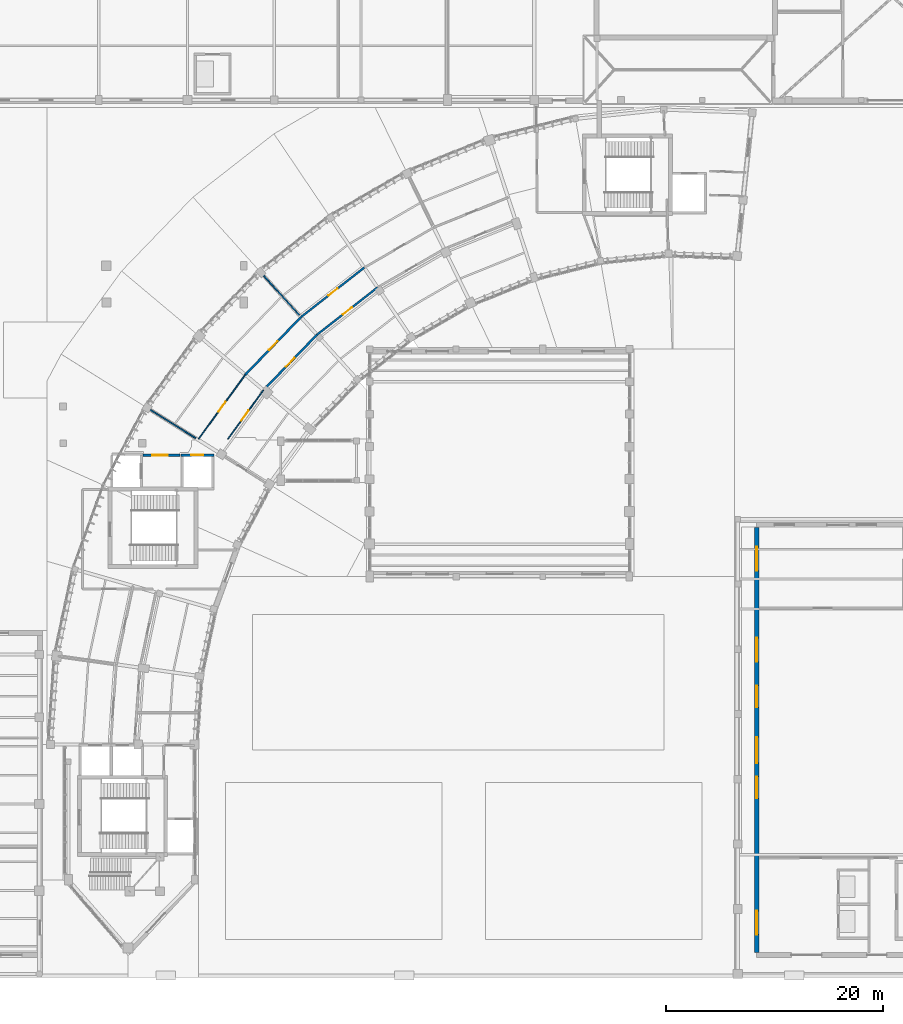
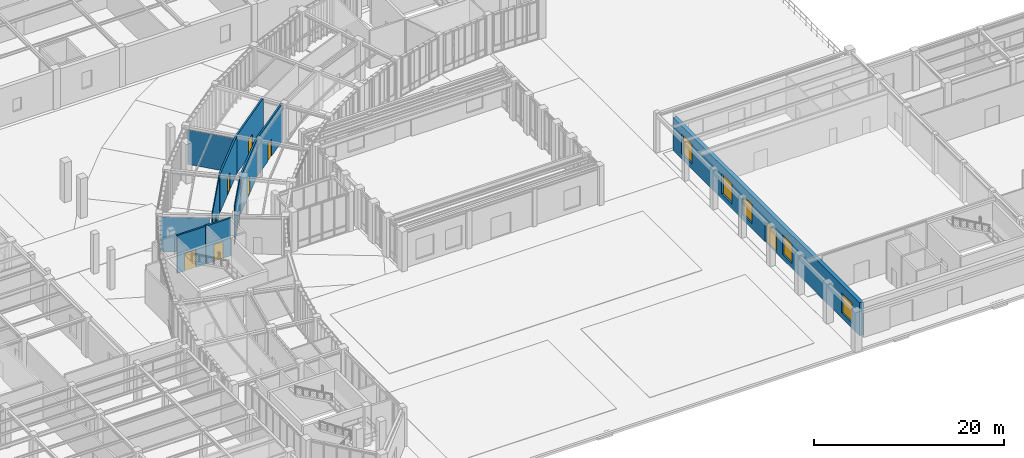
# One storey, part 39 of 68: 11 walls, 9 doors, 5 windows, 14 openings.
"""IFC4 building model written with IfcOpenShell, lengths in metres."""

import ifcopenshell
import ifcopenshell.guid

model = None  # the IFC model being written
_history = None  # IfcOwnerHistory: only IFC2X3 demands one
_inside = {}  # id of a spatial element -> (the spatial element, [elements in it])
_under = {}  # id of a project, library or spatial element -> (it, [spatial elements below it])
_declared = {}  # id of a project -> (the project, [libraries it declares])
_typed = {}  # id of a type object -> (the type object, [elements of that type])
_made_of = {}  # id of a material, layer set ... -> (it, [elements and type objects made of it])


def new_model(schema):
    """Start an empty IFC model of exactly this schema.

    Asked for "IFC4X3", IfcOpenShell would pick the latest addendum, in which some entities
    have other attributes; the version numbers below select the first issue.
    IFC2X3 requires an IfcOwnerHistory on every rooted entity: one is made here for all.
    """
    global model, _history
    if schema == "IFC4X3":
        model = ifcopenshell.file(schema_version=(4, 3, 0, 0))
    else:
        model = ifcopenshell.file(schema=schema)
    _inside.clear()
    _under.clear()
    _declared.clear()
    _typed.clear()
    _made_of.clear()
    _history = None
    if model.schema == "IFC2X3":
        org = make("IfcOrganization", Name="unknown")
        user = make(
            "IfcPersonAndOrganization",
            ThePerson=make("IfcPerson", FamilyName="unknown"),
            TheOrganization=org,
        )
        app = make(
            "IfcApplication",
            ApplicationDeveloper=org,
            Version="unknown",
            ApplicationFullName="unknown",
            ApplicationIdentifier="unknown",
        )
        _history = make(
            "IfcOwnerHistory",
            OwningUser=user,
            OwningApplication=app,
            ChangeAction="ADDED",
            CreationDate=0,
        )
    return model


def make(cls, **values):
    """One entity of the class cls with the attributes given. An attribute that is None is left unset."""
    return model.create_entity(
        cls, **{name: value for name, value in values.items() if value is not None}
    )


def rooted(cls, **values):
    """An entity with a GlobalId (a new one), such as an element, a storey or a relation."""
    return make(cls, GlobalId=ifcopenshell.guid.new(), OwnerHistory=_history, **values)


def si_unit(unit_type, name, prefix=None):
    """IfcSIUnit, for example si_unit("LENGTHUNIT", "METRE", prefix="MILLI")."""
    return make("IfcSIUnit", UnitType=unit_type, Prefix=prefix, Name=name)


def assignment(units):
    """IfcUnitAssignment: the units of a project."""
    return None if units is None else make("IfcUnitAssignment", Units=units)


def point(xyz):
    """IfcCartesianPoint."""
    return None if xyz is None else make("IfcCartesianPoint", Coordinates=xyz)


def direction(xyz):
    """IfcDirection."""
    return None if xyz is None else make("IfcDirection", DirectionRatios=xyz)


def frame(location, z_axis=None, x_axis=None):
    """IfcAxis2Placement3D, a coordinate frame: its origin and axes. An axis left out is left unset."""
    return make(
        "IfcAxis2Placement3D",
        Location=point(location),
        Axis=direction(z_axis),
        RefDirection=direction(x_axis),
    )


def frame_2d(location, x_axis=None):
    """IfcAxis2Placement2D, a coordinate frame in the plane: its origin and x axis."""
    return make(
        "IfcAxis2Placement2D", Location=point(location), RefDirection=direction(x_axis)
    )


def origin():
    """The frame at (0, 0, 0) with its axes left unset."""
    return frame((0.0, 0.0, 0.0))


def place(relative_to, where):
    """IfcLocalPlacement: puts the frame where relative to a parent placement (None: the world)."""
    return make(
        "IfcLocalPlacement", PlacementRelTo=relative_to, RelativePlacement=where
    )


def context(
    kind, dimensions, precision=None, world=None, true_north=None, identifier=None
):
    """IfcGeometricRepresentationContext, for example the 3D "Model" context."""
    return make(
        "IfcGeometricRepresentationContext",
        ContextIdentifier=identifier,
        ContextType=kind,
        CoordinateSpaceDimension=dimensions,
        Precision=precision,
        WorldCoordinateSystem=world,
        TrueNorth=true_north,
    )


def subcontext(parent, identifier, kind, view, scale=None):
    """IfcGeometricRepresentationSubContext, for example "Body" below "Model"."""
    return make(
        "IfcGeometricRepresentationSubContext",
        ContextIdentifier=identifier,
        ContextType=kind,
        ParentContext=parent,
        TargetScale=scale,
        TargetView=view,
    )


def project(units=None, contexts=None):
    """IfcProject with its units and contexts."""
    return rooted(
        "IfcProject",
        Name="project",
        RepresentationContexts=contexts,
        UnitsInContext=assignment(units),
    )


def spatial(cls, under=None, at=None, **own):
    """A site, building, storey or space (cls), placed at a placement, below another one or the project."""
    s = rooted(cls, ObjectPlacement=at, **own)
    if under is not None:
        _under.setdefault(under.id(), (under, []))[1].append(s)
    return s


def profile(cls, at=None, kind="AREA", **sizes):
    """A parametric profile (cls). Its sizes go by their IFC names, for example OverallWidth=200.0."""
    return make(cls, ProfileType=kind, Position=at, **sizes)


def rectangle(**sizes):
    """IfcRectangleProfileDef."""
    return profile("IfcRectangleProfileDef", **sizes)


def extrude(swept, where, along, depth):
    """IfcExtrudedAreaSolid: the profile swept, set in the frame where, extruded along a direction by depth."""
    return make(
        "IfcExtrudedAreaSolid",
        SweptArea=swept,
        Position=where,
        ExtrudedDirection=direction(along),
        Depth=depth,
    )


def shape(context_of_items, identifier, shape_type, items):
    """IfcShapeRepresentation: the items that make up one representation, for example the "Body"."""
    return make(
        "IfcShapeRepresentation",
        ContextOfItems=context_of_items,
        RepresentationIdentifier=identifier,
        RepresentationType=shape_type,
        Items=items,
    )


def material(Name=None, Category=None):
    """IfcMaterial."""
    return make("IfcMaterial", Name=Name, Category=Category)


def layer(
    of_material, thickness, ventilated=None, Name=None, Category=None, Priority=None
):
    """IfcMaterialLayer: one layer of a wall or slab, of a material (None: an air gap)."""
    return make(
        "IfcMaterialLayer",
        Material=of_material,
        LayerThickness=thickness,
        IsVentilated=ventilated,
        Name=Name,
        Category=Category,
        Priority=Priority,
    )


def layer_set(layers, Name=None):
    """IfcMaterialLayerSet."""
    return make("IfcMaterialLayerSet", MaterialLayers=layers, LayerSetName=Name)


def made_of(thing, what):
    """Note that an element or type object is made of a material, layer set ...; save() writes the relation."""
    if what is not None:
        _made_of.setdefault(what.id(), (what, []))[1].append(thing)
    return thing


def type_object(cls, material=None, **own):
    """A type object (cls), such as IfcWallType, which elements share."""
    return made_of(rooted(cls, **own), material)


def element(
    cls,
    number,
    at=None,
    inside=None,
    cuts=None,
    type_object=None,
    material=None,
    context=None,
    identifier="Body",
    shape_type=None,
    held_by="IfcProductDefinitionShape",
    body=None,
    shapes=None,
    **own,
):
    """One element of the class cls, such as IfcWall. Its Tag is "e" and its number.

    at: its placement. inside: the storey or other place that contains it. cuts: it is an
    opening in that element (IfcRelVoidsElement). A single representation is given by context,
    identifier, shape_type and body (its items); several are given by shapes. held_by: the class
    of the entity that holds the representations. save() writes the other relations.
    """
    e = rooted(cls, Tag="e%d" % number, ObjectPlacement=at, **own)
    if body is not None:
        shapes = [shape(context, identifier, shape_type, body)]
    if shapes is not None:
        e.Representation = make(held_by, Representations=shapes)
    if inside is not None:
        _inside.setdefault(inside.id(), (inside, []))[1].append(e)
    if cuts is not None:
        rooted(
            "IfcRelVoidsElement", RelatingBuildingElement=cuts, RelatedOpeningElement=e
        )
    if type_object is not None:
        _typed.setdefault(type_object.id(), (type_object, []))[1].append(e)
    return made_of(e, material)


def fill(opening, filler):
    """IfcRelFillsElement: the door or window that sits in an opening."""
    return rooted(
        "IfcRelFillsElement",
        RelatingOpeningElement=opening,
        RelatedBuildingElement=filler,
    )


def aggregate(whole, parts):
    """IfcRelAggregates: a whole, such as a stair, and the parts it consists of."""
    return rooted("IfcRelAggregates", RelatingObject=whole, RelatedObjects=parts)


def save(model, path):
    """Write the relations noted so far, then the file.

    IfcRelAggregates (storeys below a building ...), IfcRelContainedInSpatialStructure (elements
    in a storey), IfcRelDefinesByType, IfcRelAssociatesMaterial and IfcRelDeclares: one each for
    every whole, place, type object, material and project.
    """
    for whole, parts in _under.values():
        aggregate(whole, parts)
    for where, things in _inside.values():
        rooted(
            "IfcRelContainedInSpatialStructure",
            RelatedElements=things,
            RelatingStructure=where,
        )
    for kind, things in _typed.values():
        rooted("IfcRelDefinesByType", RelatedObjects=things, RelatingType=kind)
    for what, things in _made_of.values():
        rooted("IfcRelAssociatesMaterial", RelatedObjects=things, RelatingMaterial=what)
    for by, libraries in _declared.values():
        rooted("IfcRelDeclares", RelatingContext=by, RelatedDefinitions=libraries)
    model.write(path)


model = new_model("IFC4")

# Units and contexts
model_context = context("Model", 3, precision=1e-05, world=origin(), true_north=direction((0.0, 1.0)))
body_context = subcontext(model_context, "Body", "Model", "MODEL_VIEW")
ifc_project = project(units=[si_unit("LENGTHUNIT", "METRE"), si_unit("AREAUNIT", "SQUARE_METRE"), si_unit("VOLUMEUNIT", "CUBIC_METRE"), si_unit("PLANEANGLEUNIT", "RADIAN"), si_unit("MASSUNIT", "GRAM", prefix="KILO"), si_unit("THERMODYNAMICTEMPERATUREUNIT", "KELVIN"), si_unit("POWERUNIT", "WATT")], contexts=[model_context])

# Site, building, storey
site_placement = place(None, origin())
site = spatial("IfcSite", under=ifc_project, at=site_placement, CompositionType="ELEMENT")
building_placement = place(site_placement, origin())
building = spatial("IfcBuilding", under=site, at=building_placement, Name="Solvatero Civic Police Headquarters", CompositionType="ELEMENT")
storey_placement = place(building_placement, origin())
storey = spatial("IfcBuildingStorey", under=building, at=storey_placement, Name="L00", CompositionType="ELEMENT", Elevation=0.0)

# Wall, openings, door, windows
ifc_material_1 = material(Name="Grey Sandstone Ashlar", Category="masonry")
ifc_layer_1 = layer(ifc_material_1, 0.449951171875)
ifc_layer_set_1 = layer_set([ifc_layer_1], Name="Grey Sandstone Ashlar")
wall_type_1 = type_object("IfcWallType", Name="WL-EXT-SAND-450", PredefinedType="SOLIDWALL", material=ifc_layer_set_1)
wall_1_placement = place(storey_placement, frame((100.550048828125, 6.780029296875, 0.0), z_axis=(0.0, 0.0, 1.0), x_axis=(0.0, 1.0, 0.0)))
wall_1 = element("IfcWall", 1, at=wall_1_placement, inside=storey, type_object=wall_type_1, Name="Exterior Wall WLE-L00-V1-W", PredefinedType="SOLIDWALL", context=body_context, shape_type="SweptSolid", body=[
    extrude(rectangle(XDim=39.27001953125, YDim=0.449951171875, at=frame_2d((19.635009765625, 0.0))), origin(), (0.0, 0.0, 1.0), 4.26806640625),
])
opening_1_placement = place(wall_1_placement, frame((17.5, 0.0, 0.0)))
opening_1 = element("IfcOpeningElement", 2, at=opening_1_placement, cuts=wall_1, Name="Opening ED-06", PredefinedType="OPENING", context=body_context, shape_type="SweptSolid", body=[
    extrude(rectangle(XDim=2.39990234375, YDim=2.699951171875, at=frame_2d((1.199951171875, 1.35009765625))), frame((0.0, 0.23486328125, 0.0), z_axis=(0.0, -1.0, 0.0), x_axis=(1.0, 0.0, 0.0)), (0.0, 0.0, 1.0), 0.469970703125),
])
opening_2_placement = place(wall_1_placement, frame((1.64990234375, 0.0, 0.64990234375)))
opening_2 = element("IfcOpeningElement", 3, at=opening_2_placement, cuts=wall_1, Name="Opening W-07", PredefinedType="OPENING", context=body_context, shape_type="SweptSolid", body=[
    extrude(rectangle(XDim=2.199951171875, YDim=2.60009765625, at=frame_2d((1.10009765625, 1.300048828125))), frame((0.0, 0.23486328125, 0.0), z_axis=(0.0, -1.0, 0.0), x_axis=(1.0, 0.0, 0.0)), (0.0, 0.0, 1.0), 0.469970703125),
])
opening_3_placement = place(wall_1_placement, frame((14.25, 0.0, 0.64990234375)))
opening_3 = element("IfcOpeningElement", 4, at=opening_3_placement, cuts=wall_1, Name="Opening W-06", PredefinedType="OPENING", context=body_context, shape_type="SweptSolid", body=[
    extrude(rectangle(XDim=2.0, YDim=2.5, at=frame_2d((1.0, 1.25))), frame((0.0, 0.23486328125, 0.0), z_axis=(0.0, -1.0, 0.0), x_axis=(1.0, 0.0, 0.0)), (0.0, 0.0, 1.0), 0.469970703125),
])
opening_4_placement = place(wall_1_placement, frame((22.64990234375, 0.0, 0.64990234375)))
opening_4 = element("IfcOpeningElement", 5, at=opening_4_placement, cuts=wall_1, Name="Opening W-06", PredefinedType="OPENING", context=body_context, shape_type="SweptSolid", body=[
    extrude(rectangle(XDim=2.0, YDim=2.5, at=frame_2d((1.0, 1.25))), frame((0.0, 0.23486328125, 0.0), z_axis=(0.0, -1.0, 0.0), x_axis=(1.0, 0.0, 0.0)), (0.0, 0.0, 1.0), 0.469970703125),
])
opening_5_placement = place(wall_1_placement, frame((26.85009765625, 0.0, 0.64990234375)))
opening_5 = element("IfcOpeningElement", 6, at=opening_5_placement, cuts=wall_1, Name="Opening W-07", PredefinedType="OPENING", context=body_context, shape_type="SweptSolid", body=[
    extrude(rectangle(XDim=2.199951171875, YDim=2.60009765625, at=frame_2d((1.10009765625, 1.300048828125))), frame((0.0, 0.23486328125, 0.0), z_axis=(0.0, -1.0, 0.0), x_axis=(1.0, 0.0, 0.0)), (0.0, 0.0, 1.0), 0.469970703125),
])
opening_6_placement = place(wall_1_placement, frame((35.25, 0.0, 0.64990234375)))
opening_6 = element("IfcOpeningElement", 7, at=opening_6_placement, cuts=wall_1, Name="Opening W-07", PredefinedType="OPENING", context=body_context, shape_type="SweptSolid", body=[
    extrude(rectangle(XDim=2.199951171875, YDim=2.60009765625, at=frame_2d((1.10009765625, 1.300048828125))), frame((0.0, 0.23486328125, 0.0), z_axis=(0.0, -1.0, 0.0), x_axis=(1.0, 0.0, 0.0)), (0.0, 0.0, 1.0), 0.469970703125),
])
ifc_material_2 = material(Name="Anodized Bronze Aluminium and Laminated Glass", Category="aluminium")
door_type_1 = type_object("IfcDoorType", Name="DR-EXT-240x270", OperationType="DOUBLE_DOOR_SINGLE_SWING", PredefinedType="DOOR", material=ifc_material_2)
door_1_placement = place(opening_1_placement, origin())
door_1 = element("IfcDoor", 8, at=door_1_placement, inside=storey, type_object=door_type_1, Name="Exterior Door DR-L00-V1-WEST", OperationType="DOUBLE_DOOR_SINGLE_SWING", OverallHeight=2.699951171875, OverallWidth=2.39990234375, PredefinedType="DOOR", context=body_context, shape_type="SweptSolid", body=[
    extrude(rectangle(XDim=2.39990234375, YDim=2.699951171875, at=frame_2d((1.199951171875, 1.35009765625))), frame((0.0, 0.02490234375, 0.0), z_axis=(0.0, -1.0, 0.0), x_axis=(1.0, 0.0, 0.0)), (0.0, 0.0, 1.0), 0.050048828125),
])
fill(opening_1, door_1)
ifc_material_3 = material(Name="Anodized Bronze Aluminium", Category="aluminium")
window_type_1 = type_object("IfcWindowType", Name="WN-CL-200x250", PartitioningType="SINGLE_PANEL", PredefinedType="WINDOW", material=ifc_material_3)
window_1_placement = place(opening_3_placement, origin())
window_1 = element("IfcWindow", 9, at=window_1_placement, inside=storey, type_object=window_type_1, Name="Exterior Window 0269", OverallHeight=2.5, OverallWidth=2.0, PartitioningType="SINGLE_PANEL", PredefinedType="WINDOW", context=body_context, shape_type="SweptSolid", body=[
    extrude(rectangle(XDim=2.0, YDim=2.5, at=frame_2d((1.0, 1.25))), frame((0.0, 0.030029296875, 0.0), z_axis=(0.0, -1.0, 0.0), x_axis=(1.0, 0.0, 0.0)), (0.0, 0.0, 1.0), 0.06005859375),
])
fill(opening_3, window_1)
window_2_placement = place(opening_4_placement, origin())
window_2 = element("IfcWindow", 10, at=window_2_placement, inside=storey, type_object=window_type_1, Name="Exterior Window 0270", OverallHeight=2.5, OverallWidth=2.0, PartitioningType="SINGLE_PANEL", PredefinedType="WINDOW", context=body_context, shape_type="SweptSolid", body=[
    extrude(rectangle(XDim=2.0, YDim=2.5, at=frame_2d((1.0, 1.25))), frame((0.0, 0.030029296875, 0.0), z_axis=(0.0, -1.0, 0.0), x_axis=(1.0, 0.0, 0.0)), (0.0, 0.0, 1.0), 0.06005859375),
])
fill(opening_4, window_2)
window_type_2 = type_object("IfcWindowType", Name="WN-CL-220x260", PartitioningType="SINGLE_PANEL", PredefinedType="WINDOW", material=ifc_material_3)
window_3_placement = place(opening_2_placement, origin())
window_3 = element("IfcWindow", 11, at=window_3_placement, inside=storey, type_object=window_type_2, Name="Exterior Window 0268", OverallHeight=2.60009765625, OverallWidth=2.199951171875, PartitioningType="SINGLE_PANEL", PredefinedType="WINDOW", context=body_context, shape_type="SweptSolid", body=[
    extrude(rectangle(XDim=2.199951171875, YDim=2.60009765625, at=frame_2d((1.10009765625, 1.300048828125))), frame((0.0, 0.030029296875, 0.0), z_axis=(0.0, -1.0, 0.0), x_axis=(1.0, 0.0, 0.0)), (0.0, 0.0, 1.0), 0.06005859375),
])
fill(opening_2, window_3)
window_4_placement = place(opening_5_placement, origin())
window_4 = element("IfcWindow", 12, at=window_4_placement, inside=storey, type_object=window_type_2, Name="Exterior Window 0271", OverallHeight=2.60009765625, OverallWidth=2.199951171875, PartitioningType="SINGLE_PANEL", PredefinedType="WINDOW", context=body_context, shape_type="SweptSolid", body=[
    extrude(rectangle(XDim=2.199951171875, YDim=2.60009765625, at=frame_2d((1.10009765625, 1.300048828125))), frame((0.0, 0.030029296875, 0.0), z_axis=(0.0, -1.0, 0.0), x_axis=(1.0, 0.0, 0.0)), (0.0, 0.0, 1.0), 0.06005859375),
])
fill(opening_5, window_4)
window_5_placement = place(opening_6_placement, origin())
window_5 = element("IfcWindow", 13, at=window_5_placement, inside=storey, type_object=window_type_2, Name="Exterior Window 0272", OverallHeight=2.60009765625, OverallWidth=2.199951171875, PartitioningType="SINGLE_PANEL", PredefinedType="WINDOW", context=body_context, shape_type="SweptSolid", body=[
    extrude(rectangle(XDim=2.199951171875, YDim=2.60009765625, at=frame_2d((1.10009765625, 1.300048828125))), frame((0.0, 0.030029296875, 0.0), z_axis=(0.0, -1.0, 0.0), x_axis=(1.0, 0.0, 0.0)), (0.0, 0.0, 1.0), 0.06005859375),
])
fill(opening_6, window_5)

# Wall, opening, door
ifc_material_4 = material(Name="Gypsum Acoustic Stud", Category="gypsum")
ifc_layer_2 = layer(ifc_material_4, 0.10009765625)
ifc_layer_set_2 = layer_set([ifc_layer_2], Name="Gypsum Acoustic Stud")
wall_type_2 = type_object("IfcWallType", Name="WL-PTN-100", PredefinedType="PARTITIONING", material=ifc_layer_set_2)
wall_2_placement = place(storey_placement, frame((55.00830078125, 58.718017578125, 0.0), z_axis=(0.0, 0.0, 1.0), x_axis=(-0.587773920785, -0.809025227076, 0.0)))
wall_2 = element("IfcWall", 14, at=wall_2_placement, inside=storey, type_object=wall_type_2, Name="Interior Partition WLP-L00-ARC-CIN-B08", PredefinedType="PARTITIONING", context=body_context, shape_type="SweptSolid", body=[
    extrude(rectangle(XDim=5.58447265625, YDim=0.10009765625, at=frame_2d((2.792236328125, 0.0))), origin(), (0.0, 0.0, 1.0), 4.860107421875),
])
opening_7_placement = place(wall_2_placement, frame((2.344970703125, 0.0, 0.0)))
opening_7 = element("IfcOpeningElement", 15, at=opening_7_placement, cuts=wall_2, Name="Opening ID-10", PredefinedType="OPENING", context=body_context, shape_type="SweptSolid", body=[
    extrude(rectangle(XDim=1.14990234375, YDim=2.199951171875, at=frame_2d((0.574951171875, 1.10009765625))), frame((0.0, 0.06005859375, 0.0), z_axis=(0.0, -1.0, 0.0), x_axis=(1.0, 0.0, 0.0)), (0.0, 0.0, 1.0), 0.1201171875),
])
ifc_material_5 = material(Name="Powder-Coated Steel", Category="steel")
door_type_2 = type_object("IfcDoorType", Name="DR-COR-115x220", OperationType="NOTDEFINED", PredefinedType="DOOR", material=ifc_material_5)
door_2_placement = place(opening_7_placement, origin())
door_2 = element("IfcDoor", 16, at=door_2_placement, inside=storey, type_object=door_type_2, Name="Interior Door DR-L00-ARC-IN-B08", OperationType="SINGLE_SWING_LEFT", OverallHeight=2.199951171875, OverallWidth=1.14990234375, PredefinedType="DOOR", context=body_context, shape_type="SweptSolid", body=[
    extrude(rectangle(XDim=1.14990234375, YDim=2.199951171875, at=frame_2d((0.574951171875, 1.10009765625))), frame((0.0, 0.02490234375, 0.0), z_axis=(0.0, -1.0, 0.0), x_axis=(1.0, 0.0, 0.0)), (0.0, 0.0, 1.0), 0.050048828125),
])
fill(opening_7, door_2)

wall_3_placement = place(storey_placement, frame((53.322998046875, 60.132080078125, 0.0), z_axis=(0.0, 0.0, 1.0), x_axis=(-0.587773694682, -0.809025391344, 0.0)))
wall_3 = element("IfcWall", 17, at=wall_3_placement, inside=storey, type_object=wall_type_2, Name="Interior Partition WLP-L00-ARC-COUT-B08", PredefinedType="PARTITIONING", context=body_context, shape_type="SweptSolid", body=[
    extrude(rectangle(XDim=7.33251953125, YDim=0.10009765625, at=frame_2d((3.666259765625, 0.0))), origin(), (0.0, 0.0, 1.0), 4.860107421875),
])
opening_8_placement = place(wall_3_placement, frame((3.080078125, 0.0, 0.0)))
opening_8 = element("IfcOpeningElement", 18, at=opening_8_placement, cuts=wall_3, Name="Opening ID-10", PredefinedType="OPENING", context=body_context, shape_type="SweptSolid", body=[
    extrude(rectangle(XDim=1.14990234375, YDim=2.199951171875, at=frame_2d((0.574951171875, 1.10009765625))), frame((0.0, 0.06005859375, 0.0), z_axis=(0.0, -1.0, 0.0), x_axis=(1.0, 0.0, 0.0)), (0.0, 0.0, 1.0), 0.1201171875),
])
door_3_placement = place(opening_8_placement, origin())
door_3 = element("IfcDoor", 19, at=door_3_placement, inside=storey, type_object=door_type_2, Name="Interior Door DR-L00-ARC-OUT-B08", OperationType="SINGLE_SWING_RIGHT", OverallHeight=2.199951171875, OverallWidth=1.14990234375, PredefinedType="DOOR", context=body_context, shape_type="SweptSolid", body=[
    extrude(rectangle(XDim=1.14990234375, YDim=2.199951171875, at=frame_2d((0.574951171875, 1.10009765625))), frame((0.0, 0.02490234375, 0.0), z_axis=(0.0, -1.0, 0.0), x_axis=(1.0, 0.0, 0.0)), (0.0, 0.0, 1.0), 0.050048828125),
])
fill(opening_8, door_3)

# Walls
ifc_layer_3 = layer(ifc_material_4, 0.1201171875)
ifc_layer_set_3 = layer_set([ifc_layer_3], Name="Gypsum Acoustic Stud")
wall_type_3 = type_object("IfcWallType", Name="WL-PTN-120", PredefinedType="PARTITIONING", material=ifc_layer_set_3)
wall_4_placement = place(storey_placement, frame((58.302001953125, 65.646728515625, 0.0), z_axis=(0.0, 0.0, 1.0), x_axis=(-0.669114002905, 0.743159774959, 0.0)))
element("IfcWall", 20, at=wall_4_placement, inside=storey, type_object=wall_type_3, Name="Interior Partition WLP-L00-ARC-RAD-B06", PredefinedType="PARTITIONING", context=body_context, shape_type="SweptSolid", body=[
    extrude(rectangle(XDim=5.150146484375, YDim=0.1201171875, at=frame_2d((2.5751953125, 0.0))), origin(), (0.0, 0.0, 1.0), 4.429931640625),
])
wall_5_placement = place(storey_placement, frame((48.756591796875, 54.271240234375, 0.0), z_axis=(0.0, 0.0, 1.0), x_axis=(-0.848054228257, 0.529909450694, 0.0)))
element("IfcWall", 21, at=wall_5_placement, inside=storey, type_object=wall_type_3, Name="Interior Partition WLP-L00-ARC-RAD-B08", PredefinedType="PARTITIONING", context=body_context, shape_type="SweptSolid", body=[
    extrude(rectangle(XDim=5.14990234375, YDim=0.1201171875, at=frame_2d((2.574951171875, 0.0))), origin(), (0.0, 0.0, 1.0), 4.429931640625),
])

# Wall, opening, door
ifc_material_6 = material(Name="Concrete Blockwork", Category="masonry")
ifc_layer_4 = layer(ifc_material_6, 0.179931640625)
ifc_layer_set_4 = layer_set([ifc_layer_4], Name="Concrete Blockwork")
wall_type_4 = type_object("IfcWallType", Name="WL-PTN-180", PredefinedType="PARTITIONING", material=ifc_layer_set_4)
wall_6_placement = place(storey_placement, frame((65.537109375, 68.197998046875, 0.0), z_axis=(0.0, 0.0, 1.0), x_axis=(-0.788011863809, -0.615660054329, 0.0)))
wall_6 = element("IfcWall", 22, at=wall_6_placement, inside=storey, type_object=wall_type_4, Name="Interior Partition WLP-L00-ARC-CIN-B06", PredefinedType="PARTITIONING", context=body_context, shape_type="SweptSolid", body=[
    extrude(rectangle(XDim=7.10107421875, YDim=0.179931640625, at=frame_2d((3.550537109375, 0.0))), origin(), (0.0, 0.0, 1.0), 4.860107421875),
])
opening_9_placement = place(wall_6_placement, frame((2.98193359375, 0.0, 0.0)))
opening_9 = element("IfcOpeningElement", 23, at=opening_9_placement, cuts=wall_6, Name="Opening ID-08", PredefinedType="OPENING", context=body_context, shape_type="SweptSolid", body=[
    extrude(rectangle(XDim=1.080078125, YDim=2.219970703125, at=frame_2d((0.5400390625, 1.10986328125))), frame((0.0, 0.099853515625, 0.0), z_axis=(0.0, -1.0, 0.0), x_axis=(1.0, 0.0, 0.0)), (0.0, 0.0, 1.0), 0.199951171875),
])
door_type_3 = type_object("IfcDoorType", Name="DR-LAB-108x222", OperationType="NOTDEFINED", PredefinedType="DOOR", material=ifc_material_5)
door_4_placement = place(opening_9_placement, origin())
door_4 = element("IfcDoor", 24, at=door_4_placement, inside=storey, type_object=door_type_3, Name="Interior Door DR-L00-ARC-IN-B06", OperationType="SINGLE_SWING_LEFT", OverallHeight=2.219970703125, OverallWidth=1.080078125, PredefinedType="DOOR", context=body_context, shape_type="SweptSolid", body=[
    extrude(rectangle(XDim=1.080078125, YDim=2.219970703125, at=frame_2d((0.5400390625, 1.10986328125))), frame((0.0, 0.02490234375, 0.0), z_axis=(0.0, -1.0, 0.0), x_axis=(1.0, 0.0, 0.0)), (0.0, 0.0, 1.0), 0.050048828125),
])
fill(opening_9, door_4)

wall_7_placement = place(storey_placement, frame((64.306884765625, 70.02197265625, 0.0), z_axis=(0.0, 0.0, 1.0), x_axis=(-0.787999891273, -0.615675378226, 0.0)))
wall_7 = element("IfcWall", 25, at=wall_7_placement, inside=storey, type_object=wall_type_4, Name="Interior Partition WLP-L00-ARC-COUT-B06", PredefinedType="PARTITIONING", context=body_context, shape_type="SweptSolid", body=[
    extrude(rectangle(XDim=7.408203125, YDim=0.179931640625, at=frame_2d((3.7041015625, 0.0))), origin(), (0.0, 0.0, 1.0), 4.860107421875),
])
opening_10_placement = place(wall_7_placement, frame((3.111083984375, 0.0, 0.0)))
opening_10 = element("IfcOpeningElement", 26, at=opening_10_placement, cuts=wall_7, Name="Opening ID-08", PredefinedType="OPENING", context=body_context, shape_type="SweptSolid", body=[
    extrude(rectangle(XDim=1.080078125, YDim=2.219970703125, at=frame_2d((0.5400390625, 1.10986328125))), frame((0.0, 0.099853515625, 0.0), z_axis=(0.0, -1.0, 0.0), x_axis=(1.0, 0.0, 0.0)), (0.0, 0.0, 1.0), 0.199951171875),
])
door_5_placement = place(opening_10_placement, origin())
door_5 = element("IfcDoor", 27, at=door_5_placement, inside=storey, type_object=door_type_3, Name="Interior Door DR-L00-ARC-OUT-B06", OperationType="SINGLE_SWING_RIGHT", OverallHeight=2.219970703125, OverallWidth=1.080078125, PredefinedType="DOOR", context=body_context, shape_type="SweptSolid", body=[
    extrude(rectangle(XDim=1.080078125, YDim=2.219970703125, at=frame_2d((0.5400390625, 1.10986328125))), frame((0.0, 0.02490234375, 0.0), z_axis=(0.0, -1.0, 0.0), x_axis=(1.0, 0.0, 0.0)), (0.0, 0.0, 1.0), 0.050048828125),
])
fill(opening_10, door_5)

ifc_layer_5 = layer(ifc_material_6, 0.199951171875)
ifc_layer_set_5 = layer_set([ifc_layer_5], Name="Concrete Blockwork")
wall_type_5 = type_object("IfcWallType", Name="WL-PTN-200", PredefinedType="PARTITIONING", material=ifc_layer_set_5)
wall_8_placement = place(storey_placement, frame((43.89990234375, 52.699951171875, 0.0), z_axis=(0.0, 0.0, 1.0), x_axis=(1.0, 0.0, 0.0)))
wall_8 = element("IfcWall", 28, at=wall_8_placement, inside=storey, type_object=wall_type_5, Name="Interior Partition WLP-FFL-C2-L00-N", PredefinedType="PARTITIONING", context=body_context, shape_type="SweptSolid", body=[
    extrude(rectangle(XDim=3.400146484375, YDim=0.199951171875, at=frame_2d((1.7001953125, 0.0))), origin(), (0.0, 0.0, 1.0), 4.860107421875),
])
opening_11_placement = place(wall_8_placement, frame((0.85009765625, 0.0, 0.0)))
opening_11 = element("IfcOpeningElement", 29, at=opening_11_placement, cuts=wall_8, Name="Opening FD-02", PredefinedType="OPENING", context=body_context, shape_type="SweptSolid", body=[
    extrude(rectangle(XDim=1.39990234375, YDim=2.25, at=frame_2d((0.699951171875, 1.125))), frame((0.0, 0.10986328125, 0.0), z_axis=(0.0, -1.0, 0.0), x_axis=(1.0, 0.0, 0.0)), (0.0, 0.0, 1.0), 0.219970703125),
])
door_type_4 = type_object("IfcDoorType", Name="DR-LOB-140x225", OperationType="NOTDEFINED", PredefinedType="DOOR", material=ifc_material_5)
door_6_placement = place(opening_11_placement, origin())
door_6 = element("IfcDoor", 30, at=door_6_placement, inside=storey, type_object=door_type_4, Name="Interior Door DR-FFL-C2-L00-ACC", OperationType="DOUBLE_DOOR_SINGLE_SWING", OverallHeight=2.25, OverallWidth=1.39990234375, PredefinedType="DOOR", context=body_context, shape_type="SweptSolid", body=[
    extrude(rectangle(XDim=1.39990234375, YDim=2.25, at=frame_2d((0.699951171875, 1.125))), frame((0.0, 0.02490234375, 0.0), z_axis=(0.0, -1.0, 0.0), x_axis=(1.0, 0.0, 0.0)), (0.0, 0.0, 1.0), 0.050048828125),
])
fill(opening_11, door_6)

wall_9_placement = place(storey_placement, frame((59.94140625, 63.826171875, 0.0), z_axis=(0.0, 0.0, 1.0), x_axis=(-0.694674270111, -0.719324445884, 0.0)))
wall_9 = element("IfcWall", 31, at=wall_9_placement, inside=storey, type_object=wall_type_5, Name="Interior Partition WLP-L00-ARC-CIN-B07", PredefinedType="PARTITIONING", context=body_context, shape_type="SweptSolid", body=[
    extrude(rectangle(XDim=7.101318359375, YDim=0.199951171875, at=frame_2d((3.55078125, 0.0))), origin(), (0.0, 0.0, 1.0), 4.860107421875),
])
opening_12_placement = place(wall_9_placement, frame((2.98291015625, 0.0, 0.0)))
opening_12 = element("IfcOpeningElement", 32, at=opening_12_placement, cuts=wall_9, Name="Opening ID-09", PredefinedType="OPENING", context=body_context, shape_type="SweptSolid", body=[
    extrude(rectangle(XDim=1.1201171875, YDim=2.199951171875, at=frame_2d((0.56005859375, 1.10009765625))), frame((0.0, 0.10986328125, 0.0), z_axis=(0.0, -1.0, 0.0), x_axis=(1.0, 0.0, 0.0)), (0.0, 0.0, 1.0), 0.219970703125),
])
door_type_5 = type_object("IfcDoorType", Name="DR-PLT-112x220", OperationType="NOTDEFINED", PredefinedType="DOOR", material=ifc_material_5)
door_7_placement = place(opening_12_placement, origin())
door_7 = element("IfcDoor", 33, at=door_7_placement, inside=storey, type_object=door_type_5, Name="Interior Door DR-L00-ARC-IN-B07", OperationType="SINGLE_SWING_LEFT", OverallHeight=2.199951171875, OverallWidth=1.1201171875, PredefinedType="DOOR", context=body_context, shape_type="SweptSolid", body=[
    extrude(rectangle(XDim=1.1201171875, YDim=2.199951171875, at=frame_2d((0.56005859375, 1.10009765625))), frame((0.0, 0.02490234375, 0.0), z_axis=(0.0, -1.0, 0.0), x_axis=(1.0, 0.0, 0.0)), (0.0, 0.0, 1.0), 0.050048828125),
])
fill(opening_12, door_7)

wall_10_placement = place(storey_placement, frame((58.46923828125, 65.4609375, 0.0), z_axis=(0.0, 0.0, 1.0), x_axis=(-0.694673907436, -0.71932479613, 0.0)))
wall_10 = element("IfcWall", 34, at=wall_10_placement, inside=storey, type_object=wall_type_5, Name="Interior Partition WLP-L00-ARC-COUT-B07", PredefinedType="PARTITIONING", context=body_context, shape_type="SweptSolid", body=[
    extrude(rectangle(XDim=7.408203125, YDim=0.199951171875, at=frame_2d((3.7041015625, 0.0))), origin(), (0.0, 0.0, 1.0), 4.860107421875),
])
opening_13_placement = place(wall_10_placement, frame((3.111083984375, 0.0, 0.0)))
opening_13 = element("IfcOpeningElement", 35, at=opening_13_placement, cuts=wall_10, Name="Opening ID-09", PredefinedType="OPENING", context=body_context, shape_type="SweptSolid", body=[
    extrude(rectangle(XDim=1.1201171875, YDim=2.199951171875, at=frame_2d((0.56005859375, 1.10009765625))), frame((0.0, 0.10986328125, 0.0), z_axis=(0.0, -1.0, 0.0), x_axis=(1.0, 0.0, 0.0)), (0.0, 0.0, 1.0), 0.219970703125),
])
door_8_placement = place(opening_13_placement, origin())
door_8 = element("IfcDoor", 36, at=door_8_placement, inside=storey, type_object=door_type_5, Name="Interior Door DR-L00-ARC-OUT-B07", OperationType="SINGLE_SWING_RIGHT", OverallHeight=2.199951171875, OverallWidth=1.1201171875, PredefinedType="DOOR", context=body_context, shape_type="SweptSolid", body=[
    extrude(rectangle(XDim=1.1201171875, YDim=2.199951171875, at=frame_2d((0.56005859375, 1.10009765625))), frame((0.0, 0.02490234375, 0.0), z_axis=(0.0, -1.0, 0.0), x_axis=(1.0, 0.0, 0.0)), (0.0, 0.0, 1.0), 0.050048828125),
])
fill(opening_13, door_8)

ifc_material_7 = material(Name="Concrete C35/45", Category="concrete")
ifc_layer_6 = layer(ifc_material_7, 0.219970703125)
ifc_layer_set_6 = layer_set([ifc_layer_6], Name="Concrete C35/45")
wall_type_6 = type_object("IfcWallType", Name="WL-SHF-220", PredefinedType="PARTITIONING", material=ifc_layer_set_6)
wall_11_placement = place(storey_placement, frame((47.3798828125, 52.7099609375, 0.0), z_axis=(0.0, 0.0, 1.0), x_axis=(1.0, 0.0, 0.0)))
wall_11 = element("IfcWall", 37, at=wall_11_placement, inside=storey, type_object=wall_type_6, Name="Lift Shaft Wall WLS-LP-03-L00-N", PredefinedType="PARTITIONING", context=body_context, shape_type="SweptSolid", body=[
    extrude(rectangle(XDim=3.0400390625, YDim=0.219970703125, at=frame_2d((1.52001953125, 0.0))), origin(), (0.0, 0.0, 1.0), 4.860107421875),
])
opening_14_placement = place(wall_11_placement, frame((0.969970703125, 0.0, 0.0)))
opening_14 = element("IfcOpeningElement", 38, at=opening_14_placement, cuts=wall_11, Name="Opening LD-01", PredefinedType="OPENING", context=body_context, shape_type="SweptSolid", body=[
    extrude(rectangle(XDim=1.10009765625, YDim=2.14990234375, at=frame_2d((0.550048828125, 1.074951171875))), frame((0.0, 0.119873046875, 0.0), z_axis=(0.0, -1.0, 0.0), x_axis=(1.0, 0.0, 0.0)), (0.0, 0.0, 1.0), 0.239990234375),
])
ifc_material_8 = material(Name="Stainless Steel Grade 316", Category="steel")
door_type_6 = type_object("IfcDoorType", Name="DR-LFT-110x215", OperationType="DOUBLE_DOOR_SLIDING", PredefinedType="DOOR", material=ifc_material_8)
door_9_placement = place(opening_14_placement, origin())
door_9 = element("IfcDoor", 39, at=door_9_placement, inside=storey, type_object=door_type_6, Name="Interior Door DR-LFT-LP-03-L00", OperationType="DOUBLE_DOOR_SLIDING", OverallHeight=2.14990234375, OverallWidth=1.10009765625, PredefinedType="DOOR", context=body_context, shape_type="SweptSolid", body=[
    extrude(rectangle(XDim=1.10009765625, YDim=2.14990234375, at=frame_2d((0.550048828125, 1.074951171875))), frame((0.0, 0.02490234375, 0.0), z_axis=(0.0, -1.0, 0.0), x_axis=(1.0, 0.0, 0.0)), (0.0, 0.0, 1.0), 0.050048828125),
])
fill(opening_14, door_9)

save(model, "model.ifc")
